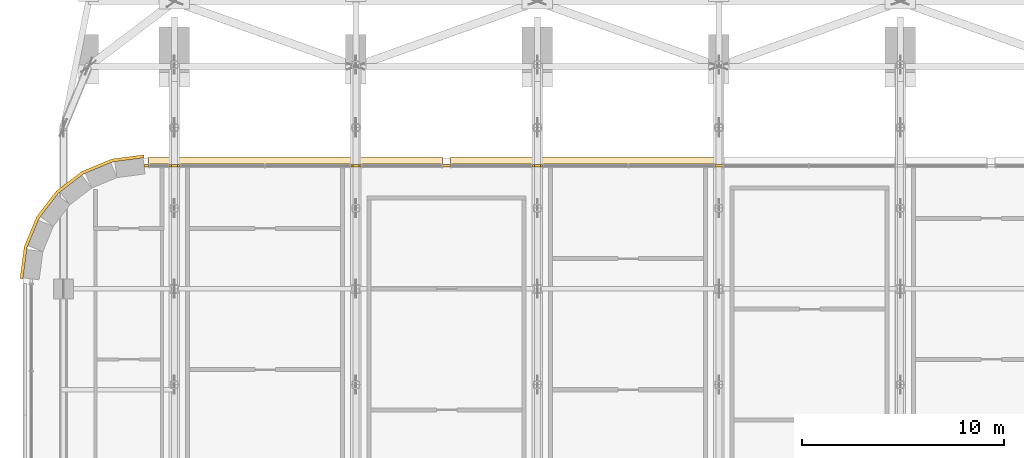
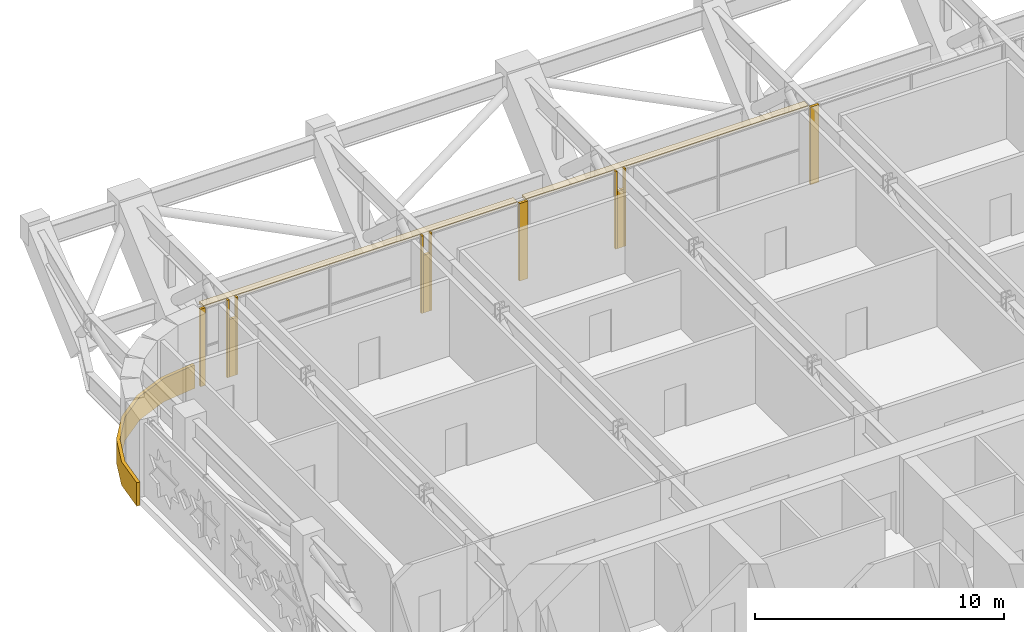
# One storey, part 21 of 23: 15 coverings.
"""IFC4 building model written with IfcOpenShell, lengths in metres."""

import ifcopenshell
import ifcopenshell.guid

model = None  # the IFC model being written
_history = None  # IfcOwnerHistory: only IFC2X3 demands one
_inside = {}  # id of a spatial element -> (the spatial element, [elements in it])
_under = {}  # id of a project, library or spatial element -> (it, [spatial elements below it])
_declared = {}  # id of a project -> (the project, [libraries it declares])
_typed = {}  # id of a type object -> (the type object, [elements of that type])
_made_of = {}  # id of a material, layer set ... -> (it, [elements and type objects made of it])


def new_model(schema):
    """Start an empty IFC model of exactly this schema.

    Asked for "IFC4X3", IfcOpenShell would pick the latest addendum, in which some entities
    have other attributes; the version numbers below select the first issue.
    IFC2X3 requires an IfcOwnerHistory on every rooted entity: one is made here for all.
    """
    global model, _history
    if schema == "IFC4X3":
        model = ifcopenshell.file(schema_version=(4, 3, 0, 0))
    else:
        model = ifcopenshell.file(schema=schema)
    _inside.clear()
    _under.clear()
    _declared.clear()
    _typed.clear()
    _made_of.clear()
    _history = None
    if model.schema == "IFC2X3":
        org = make("IfcOrganization", Name="unknown")
        user = make(
            "IfcPersonAndOrganization",
            ThePerson=make("IfcPerson", FamilyName="unknown"),
            TheOrganization=org,
        )
        app = make(
            "IfcApplication",
            ApplicationDeveloper=org,
            Version="unknown",
            ApplicationFullName="unknown",
            ApplicationIdentifier="unknown",
        )
        _history = make(
            "IfcOwnerHistory",
            OwningUser=user,
            OwningApplication=app,
            ChangeAction="ADDED",
            CreationDate=0,
        )
    return model


def make(cls, **values):
    """One entity of the class cls with the attributes given. An attribute that is None is left unset."""
    return model.create_entity(
        cls, **{name: value for name, value in values.items() if value is not None}
    )


def rooted(cls, **values):
    """An entity with a GlobalId (a new one), such as an element, a storey or a relation."""
    return make(cls, GlobalId=ifcopenshell.guid.new(), OwnerHistory=_history, **values)


def si_unit(unit_type, name, prefix=None):
    """IfcSIUnit, for example si_unit("LENGTHUNIT", "METRE", prefix="MILLI")."""
    return make("IfcSIUnit", UnitType=unit_type, Prefix=prefix, Name=name)


def assignment(units):
    """IfcUnitAssignment: the units of a project."""
    return None if units is None else make("IfcUnitAssignment", Units=units)


def point(xyz):
    """IfcCartesianPoint."""
    return None if xyz is None else make("IfcCartesianPoint", Coordinates=xyz)


def direction(xyz):
    """IfcDirection."""
    return None if xyz is None else make("IfcDirection", DirectionRatios=xyz)


def frame(location, z_axis=None, x_axis=None):
    """IfcAxis2Placement3D, a coordinate frame: its origin and axes. An axis left out is left unset."""
    return make(
        "IfcAxis2Placement3D",
        Location=point(location),
        Axis=direction(z_axis),
        RefDirection=direction(x_axis),
    )


def frame_2d(location, x_axis=None):
    """IfcAxis2Placement2D, a coordinate frame in the plane: its origin and x axis."""
    return make(
        "IfcAxis2Placement2D", Location=point(location), RefDirection=direction(x_axis)
    )


def origin():
    """The frame at (0, 0, 0) with its axes left unset."""
    return frame((0.0, 0.0, 0.0))


def origin_2d():
    """The frame at (0, 0) in the plane with its x axis left unset."""
    return frame_2d((0.0, 0.0))


def place(relative_to, where):
    """IfcLocalPlacement: puts the frame where relative to a parent placement (None: the world)."""
    return make(
        "IfcLocalPlacement", PlacementRelTo=relative_to, RelativePlacement=where
    )


def context(
    kind, dimensions, precision=None, world=None, true_north=None, identifier=None
):
    """IfcGeometricRepresentationContext, for example the 3D "Model" context."""
    return make(
        "IfcGeometricRepresentationContext",
        ContextIdentifier=identifier,
        ContextType=kind,
        CoordinateSpaceDimension=dimensions,
        Precision=precision,
        WorldCoordinateSystem=world,
        TrueNorth=true_north,
    )


def subcontext(parent, identifier, kind, view, scale=None):
    """IfcGeometricRepresentationSubContext, for example "Body" below "Model"."""
    return make(
        "IfcGeometricRepresentationSubContext",
        ContextIdentifier=identifier,
        ContextType=kind,
        ParentContext=parent,
        TargetScale=scale,
        TargetView=view,
    )


def project(units=None, contexts=None):
    """IfcProject with its units and contexts."""
    return rooted(
        "IfcProject",
        Name="project",
        RepresentationContexts=contexts,
        UnitsInContext=assignment(units),
    )


def spatial(cls, under=None, at=None, **own):
    """A site, building, storey or space (cls), placed at a placement, below another one or the project."""
    s = rooted(cls, ObjectPlacement=at, **own)
    if under is not None:
        _under.setdefault(under.id(), (under, []))[1].append(s)
    return s


def polyline(points):
    """IfcPolyline through the points."""
    return make("IfcPolyline", Points=[point(p) for p in points])


def profile(cls, at=None, kind="AREA", **sizes):
    """A parametric profile (cls). Its sizes go by their IFC names, for example OverallWidth=200.0."""
    return make(cls, ProfileType=kind, Position=at, **sizes)


def rectangle(**sizes):
    """IfcRectangleProfileDef."""
    return profile("IfcRectangleProfileDef", **sizes)


def outline(outer, holes=None, kind="AREA"):
    """IfcArbitraryClosedProfileDef: a profile drawn as a closed curve; with holes, ...WithVoids."""
    if holes is None:
        return make("IfcArbitraryClosedProfileDef", ProfileType=kind, OuterCurve=outer)
    return make(
        "IfcArbitraryProfileDefWithVoids",
        ProfileType=kind,
        OuterCurve=outer,
        InnerCurves=holes,
    )


def extrude(swept, where, along, depth):
    """IfcExtrudedAreaSolid: the profile swept, set in the frame where, extruded along a direction by depth."""
    return make(
        "IfcExtrudedAreaSolid",
        SweptArea=swept,
        Position=where,
        ExtrudedDirection=direction(along),
        Depth=depth,
    )


def shape(context_of_items, identifier, shape_type, items):
    """IfcShapeRepresentation: the items that make up one representation, for example the "Body"."""
    return make(
        "IfcShapeRepresentation",
        ContextOfItems=context_of_items,
        RepresentationIdentifier=identifier,
        RepresentationType=shape_type,
        Items=items,
    )


def material(Name=None, Category=None):
    """IfcMaterial."""
    return make("IfcMaterial", Name=Name, Category=Category)


def layer(
    of_material, thickness, ventilated=None, Name=None, Category=None, Priority=None
):
    """IfcMaterialLayer: one layer of a wall or slab, of a material (None: an air gap)."""
    return make(
        "IfcMaterialLayer",
        Material=of_material,
        LayerThickness=thickness,
        IsVentilated=ventilated,
        Name=Name,
        Category=Category,
        Priority=Priority,
    )


def layer_set(layers, Name=None):
    """IfcMaterialLayerSet."""
    return make("IfcMaterialLayerSet", MaterialLayers=layers, LayerSetName=Name)


def made_of(thing, what):
    """Note that an element or type object is made of a material, layer set ...; save() writes the relation."""
    if what is not None:
        _made_of.setdefault(what.id(), (what, []))[1].append(thing)
    return thing


def type_object(cls, material=None, **own):
    """A type object (cls), such as IfcWallType, which elements share."""
    return made_of(rooted(cls, **own), material)


def element(
    cls,
    number,
    at=None,
    inside=None,
    cuts=None,
    type_object=None,
    material=None,
    context=None,
    identifier="Body",
    shape_type=None,
    held_by="IfcProductDefinitionShape",
    body=None,
    shapes=None,
    **own,
):
    """One element of the class cls, such as IfcWall. Its Tag is "e" and its number.

    at: its placement. inside: the storey or other place that contains it. cuts: it is an
    opening in that element (IfcRelVoidsElement). A single representation is given by context,
    identifier, shape_type and body (its items); several are given by shapes. held_by: the class
    of the entity that holds the representations. save() writes the other relations.
    """
    e = rooted(cls, Tag="e%d" % number, ObjectPlacement=at, **own)
    if body is not None:
        shapes = [shape(context, identifier, shape_type, body)]
    if shapes is not None:
        e.Representation = make(held_by, Representations=shapes)
    if inside is not None:
        _inside.setdefault(inside.id(), (inside, []))[1].append(e)
    if cuts is not None:
        rooted(
            "IfcRelVoidsElement", RelatingBuildingElement=cuts, RelatedOpeningElement=e
        )
    if type_object is not None:
        _typed.setdefault(type_object.id(), (type_object, []))[1].append(e)
    return made_of(e, material)


def aggregate(whole, parts):
    """IfcRelAggregates: a whole, such as a stair, and the parts it consists of."""
    return rooted("IfcRelAggregates", RelatingObject=whole, RelatedObjects=parts)


def save(model, path):
    """Write the relations noted so far, then the file.

    IfcRelAggregates (storeys below a building ...), IfcRelContainedInSpatialStructure (elements
    in a storey), IfcRelDefinesByType, IfcRelAssociatesMaterial and IfcRelDeclares: one each for
    every whole, place, type object, material and project.
    """
    for whole, parts in _under.values():
        aggregate(whole, parts)
    for where, things in _inside.values():
        rooted(
            "IfcRelContainedInSpatialStructure",
            RelatedElements=things,
            RelatingStructure=where,
        )
    for kind, things in _typed.values():
        rooted("IfcRelDefinesByType", RelatedObjects=things, RelatingType=kind)
    for what, things in _made_of.values():
        rooted("IfcRelAssociatesMaterial", RelatedObjects=things, RelatingMaterial=what)
    for by, libraries in _declared.values():
        rooted("IfcRelDeclares", RelatingContext=by, RelatedDefinitions=libraries)
    model.write(path)


model = new_model("IFC4")

# Units and contexts
model_context = context("Model", 3, precision=1e-05, world=origin(), true_north=direction((0.0, 1.0)))
body_context = subcontext(model_context, "Body", "Model", "MODEL_VIEW")
ifc_project = project(units=[si_unit("LENGTHUNIT", "METRE"), si_unit("AREAUNIT", "SQUARE_METRE"), si_unit("VOLUMEUNIT", "CUBIC_METRE"), si_unit("PLANEANGLEUNIT", "RADIAN"), si_unit("MASSUNIT", "GRAM", prefix="KILO")], contexts=[model_context])

# Site, building, storey
site_placement = place(None, origin())
site = spatial("IfcSite", under=ifc_project, at=site_placement, CompositionType="ELEMENT")
building_placement = place(site_placement, origin())
building = spatial("IfcBuilding", under=site, at=building_placement, Name="Zellij Exchange Tower", CompositionType="ELEMENT")
storey_placement = place(building_placement, frame((0.0, 0.0, 160.5)))
storey = spatial("IfcBuildingStorey", under=building, at=storey_placement, Name="L36", CompositionType="ELEMENT", Elevation=160.5)

# Coverings
ifc_material_1 = material(Name="Limestone cladding", Category="masonry")
ifc_layer_1 = layer(ifc_material_1, 0.14990234375)
ifc_layer_set_1 = layer_set([ifc_layer_1], Name="Limestone cladding")
covering_type_1 = type_object("IfcCoveringType", Name="ENV-CV1 Stone spandrel band 150", PredefinedType="CLADDING", material=ifc_layer_set_1)
covering_1_placement = place(storey_placement, frame((0.0, 0.0, -0.35009765625)))
element("IfcCovering", 1, at=covering_1_placement, inside=storey, type_object=covering_type_1, Name="Stone spandrel band", PredefinedType="CLADDING", context=body_context, shape_type="SweptSolid", body=[
    extrude(outline(polyline([(-28.5, 20.5), (-30.052978515625, 20.295654296875), (-31.5, 19.6962890625), (-32.74267578125, 18.74267578125), (-33.6962890625, 17.5), (-34.295654296875, 16.052978515625), (-34.5, 14.5), (-34.64990234375, 14.509765625), (-34.441650390625, 16.092041015625), (-33.8271484375, 17.57568359375), (-32.849609375, 18.849609375), (-31.57568359375, 19.8271484375), (-30.092041015625, 20.441650390625), (-28.509765625, 20.64990234375), (-28.5, 20.5)])), origin(), (0.0, 0.0, 1.0), 1.150146484375),
])
ifc_layer_2 = layer(ifc_material_1, 0.1201171875)
ifc_layer_set_2 = layer_set([ifc_layer_2], Name="Limestone cladding")
covering_type_2 = type_object("IfcCoveringType", Name="ENV-CV18 Glazing closer 120", PredefinedType="CLADDING", material=ifc_layer_set_2)
for number, where, z_axis, x_axis, name in (
    (2, (-13.5, 20.10009765625, 0.0), (0.0, 0.0, 1.0), (-1.0, 0.0, 0.0), "Glazing closer"),
    (3, (0.0, 20.10009765625, 0.0), (0.0, 0.0, 1.0), (-1.0, 0.0, 0.0), "Glazing closer"),
):
    element("IfcCovering", number, at=place(storey_placement, frame(where, z_axis=z_axis, x_axis=x_axis)), inside=storey, type_object=covering_type_2, Name=name, PredefinedType="CLADDING", context=body_context, shape_type="SweptSolid", body=[
        extrude(rectangle(XDim=0.39990234375, YDim=0.1201171875, at=origin_2d()), origin(), (0.0, 0.0, 1.0), 3.800048828125),
    ])
for number, where, z_axis, x_axis, name in (
    (4, (-9.0, 20.10009765625, 0.0), (0.0, 0.0, 1.0), (-1.0, 0.0, 0.0), "Glazing closer"),
    (5, (-18.0, 20.10009765625, 0.0), (0.0, 0.0, 1.0), (-1.0, 0.0, 0.0), "Glazing closer"),
    (6, (-27.0, 20.10009765625, 0.0), (0.0, 0.0, 1.0), (-1.0, 0.0, 0.0), "Glazing closer"),
):
    element("IfcCovering", number, at=place(storey_placement, frame(where, z_axis=z_axis, x_axis=x_axis)), inside=storey, type_object=covering_type_2, Name=name, PredefinedType="CLADDING", context=body_context, shape_type="SweptSolid", body=[
        extrude(rectangle(XDim=0.2998046875, YDim=0.1201171875, at=origin_2d()), origin(), (0.0, 0.0, 1.0), 2.82470703125),
    ])
covering_2_placement = place(storey_placement, frame((-28.383056640625, 20.10009765625, 0.0), z_axis=(0.0, 0.0, 1.0), x_axis=(-1.0, 0.0, 0.0)))
element("IfcCovering", 7, at=covering_2_placement, inside=storey, type_object=covering_type_2, Name="Glazing closer", PredefinedType="CLADDING", context=body_context, shape_type="SweptSolid", body=[
    extrude(rectangle(XDim=0.218505859375, YDim=0.1201171875, at=origin_2d()), origin(), (0.0, 0.0, 1.0), 3.800048828125),
])
for number, where, z_axis, x_axis, name in (
    (8, (-8.800048828125, 20.10009765625, 0.0), (0.0, 0.0, 1.0), (-1.0, 0.0, 0.0), "Glazing closer"),
    (9, (-9.199951171875, 20.10009765625, 0.0), (0.0, 0.0, 1.0), (-1.0, 0.0, 0.0), "Glazing closer"),
    (10, (-17.800048828125, 20.10009765625, 0.0), (0.0, 0.0, 1.0), (-1.0, 0.0, 0.0), "Glazing closer"),
    (11, (-18.199951171875, 20.10009765625, 0.0), (0.0, 0.0, 1.0), (-1.0, 0.0, 0.0), "Glazing closer"),
    (12, (-26.800048828125, 20.10009765625, 0.0), (0.0, 0.0, 1.0), (-1.0, 0.0, 0.0), "Glazing closer"),
    (13, (-27.199951171875, 20.10009765625, 0.0), (0.0, 0.0, 1.0), (-1.0, 0.0, 0.0), "Glazing closer"),
):
    element("IfcCovering", number, at=place(storey_placement, frame(where, z_axis=z_axis, x_axis=x_axis)), inside=storey, type_object=covering_type_2, Name=name, PredefinedType="CLADDING", context=body_context, shape_type="SweptSolid", body=[
        extrude(rectangle(XDim=0.10009765625, YDim=0.1201171875, at=origin_2d()), origin(), (0.0, 0.0, 1.0), 3.800048828125),
    ])
ifc_material_2 = material(Name="Limestone sunshade", Category="masonry")
ifc_layer_3 = layer(ifc_material_2, 0.1201171875)
ifc_layer_set_3 = layer_set([ifc_layer_3], Name="Limestone sunshade")
covering_type_3 = type_object("IfcCoveringType", Name="ENV-SC2 Stone sunshade 120", PredefinedType="USERDEFINED", material=ifc_layer_set_3)
covering_3_placement = place(storey_placement, frame((0.0, 0.0, 3.679931640625)))
element("IfcCovering", 14, at=covering_3_placement, inside=storey, type_object=covering_type_3, Name="Stone sunshade", ObjectType="SUNSHADE", PredefinedType="USERDEFINED", context=body_context, shape_type="SweptSolid", body=[
    extrude(outline(polyline([(-0.199951171875, 20.199951171875), (-13.300048828125, 20.199951171875), (-13.300048828125, 20.550048828125), (-0.199951171875, 20.550048828125), (-0.199951171875, 20.199951171875)])), origin(), (0.0, 0.0, 1.0), 0.1201171875),
])
covering_4_placement = place(storey_placement, frame((0.0, 0.0, 3.679931640625)))
element("IfcCovering", 15, at=covering_4_placement, inside=storey, type_object=covering_type_3, Name="Stone sunshade", ObjectType="SUNSHADE", PredefinedType="USERDEFINED", context=body_context, shape_type="SweptSolid", body=[
    extrude(outline(polyline([(-13.699951171875, 20.199951171875), (-28.273681640625, 20.199951171875), (-28.273681640625, 20.550048828125), (-13.699951171875, 20.550048828125), (-13.699951171875, 20.199951171875)])), origin(), (0.0, 0.0, 1.0), 0.1201171875),
])

save(model, "model.ifc")
